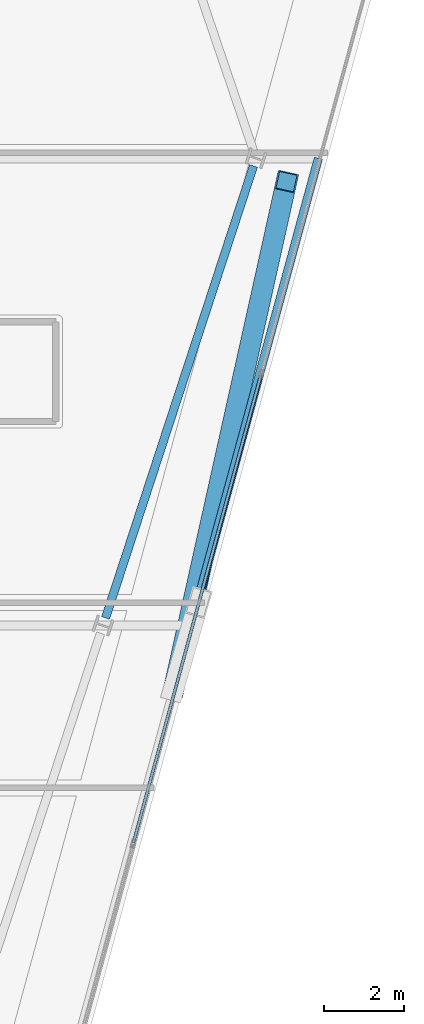
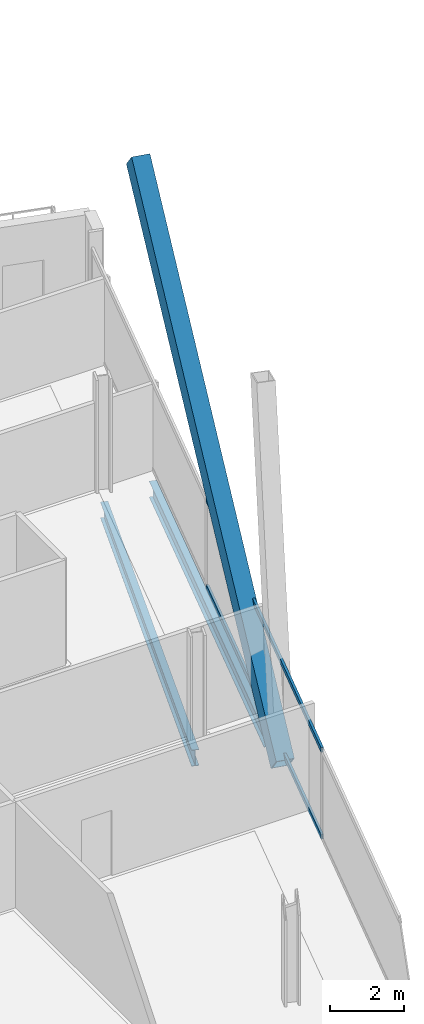
# One storey, part 10 of 26: 3 members, 2 beams, 1 element without a shape of its own.
"""IFC4 building model written with IfcOpenShell, lengths in metres."""

from ifc_helpers import new_model, si_unit, direction, frame, origin, origin_2d, place, context, subcontext, project, spatial, hollow_rectangle, i_section, extrude, material, material_profile, profile_set, type_object, element, aggregate, save


model = new_model("IFC4")

# Units and contexts
model_context = context("Model", 3, precision=1e-05, world=origin(), true_north=direction((0.0, 1.0)))
body_context = subcontext(model_context, "Body", "Model", "MODEL_VIEW")
ifc_project = project(units=[si_unit("LENGTHUNIT", "METRE"), si_unit("AREAUNIT", "SQUARE_METRE"), si_unit("VOLUMEUNIT", "CUBIC_METRE"), si_unit("PLANEANGLEUNIT", "RADIAN"), si_unit("MASSUNIT", "GRAM", prefix="KILO")], contexts=[model_context])

# Site, building, storey
site_placement = place(None, origin())
site = spatial("IfcSite", under=ifc_project, at=site_placement, CompositionType="ELEMENT")
building_placement = place(site_placement, origin())
building = spatial("IfcBuilding", under=site, at=building_placement, Name="Haldenkirk Collegiate Tower", CompositionType="ELEMENT")
storey_placement = place(building_placement, frame((0.0, 0.0, 278.699951171875)))
storey = spatial("IfcBuildingStorey", under=building, at=storey_placement, Name="L70", CompositionType="ELEMENT", Elevation=278.699951171875)

# Beams
ifc_material_1 = material(Name="Steel ASTM A992 Grade 50", Category="steel")
ifc_material_profile_1 = material_profile(ifc_material_1, i_section(OverallWidth=0.2099609375, OverallDepth=0.537109375, WebThickness=0.010986328125, FlangeThickness=0.017333984375, at=origin_2d()), Name="W21X68")
ifc_profile_set_1 = profile_set([ifc_material_profile_1], Name="Steel ASTM A992 Grade 50")
beam_type = type_object("IfcBeamType", Name="BM-SPANDREL-W21X68", PredefinedType="SPANDREL", material=ifc_profile_set_1)
beam_1_placement = place(storey_placement, frame((55.54638671875, 19.81689453125, -0.538330078125), z_axis=(0.311010188249, 0.950406577631, 0.0), x_axis=(-0.950406577631, 0.311010188249, 0.0)))
element("IfcBeam", 1, at=beam_1_placement, inside=storey, type_object=beam_type, Name="L70 perimeter spandrel beam 03", PredefinedType="SPANDREL", context=body_context, shape_type="SweptSolid", body=[
    extrude(i_section(OverallWidth=0.2099609375, OverallDepth=0.537109375, WebThickness=0.010986328125, FlangeThickness=0.017333984375, at=origin_2d()), origin(), (0.0, 0.0, 1.0), 11.94287109375),
])
beam_2_placement = place(storey_placement, frame((57.69189453125, 19.624267578125, -0.538330078125), z_axis=(0.263023999505, 0.964789290822, 0.0), x_axis=(-0.964789290822, 0.263023999505, 0.0)))
element("IfcBeam", 2, at=beam_2_placement, inside=storey, type_object=beam_type, Name="L70 outer facade edge beam 1B", PredefinedType="SPANDREL", context=body_context, shape_type="SweptSolid", body=[
    extrude(i_section(OverallWidth=0.2099609375, OverallDepth=0.537109375, WebThickness=0.010986328125, FlangeThickness=0.017333984375, at=origin_2d()), origin(), (0.0, 0.0, 1.0), 12.1640625),
])

# Curtain wall, members
ifc_material_2 = material(Name="Anodised architectural bronze aluminium", Category="aluminium")
curtain_wall_type = type_object("IfcCurtainWallType", Name="CW-SYS2-CONCAVE", PredefinedType="USERDEFINED", material=ifc_material_2)
curtain_wall_placement = place(storey_placement, origin())
curtain_wall = element("IfcCurtainWall", 3, at=curtain_wall_placement, inside=storey, type_object=curtain_wall_type, Name="L70 South concave recessed bronze-anodised curtain wall", ObjectType="UNITISED CURTAIN WALL", PredefinedType="USERDEFINED")
ifc_material_profile_2 = material_profile(ifc_material_2, hollow_rectangle(XDim=0.074951171875, YDim=0.159912109375, WallThickness=0.0048828125, at=origin_2d()), Name="CW-TRN-02")
ifc_profile_set_2 = profile_set([ifc_material_profile_2], Name="Anodised architectural bronze aluminium")
member_type_1 = type_object("IfcMemberType", Name="CW-TRN-02", PredefinedType="USERDEFINED", material=ifc_profile_set_2)
member_1_placement = place(storey_placement, frame((59.446533203125, 25.90869140625, 0.03759765625), z_axis=(-0.263029052308, -0.964787913296, 0.0), x_axis=(0.964787913296, -0.263029052308, 0.0)))
member_1 = element("IfcMember", 4, at=member_1_placement, type_object=member_type_1, Name="CW-02 transom 2.1", ObjectType="TRANSOM", PredefinedType="USERDEFINED", context=body_context, shape_type="SweptSolid", body=[
    extrude(hollow_rectangle(XDim=0.074951171875, YDim=0.159912109375, WallThickness=0.0048828125, at=origin_2d()), origin(), (0.0, 0.0, 1.0), 12.158447265625),
])
member_2_placement = place(storey_placement, frame((59.446533203125, 25.90869140625, 2.900634765625), z_axis=(-0.263029052308, -0.964787913296, 0.0), x_axis=(0.964787913296, -0.263029052308, 0.0)))
member_2 = element("IfcMember", 5, at=member_2_placement, type_object=member_type_1, Name="CW-02 transom 2.2", ObjectType="TRANSOM", PredefinedType="USERDEFINED", context=body_context, shape_type="SweptSolid", body=[
    extrude(hollow_rectangle(XDim=0.074951171875, YDim=0.159912109375, WallThickness=0.0048828125, at=origin_2d()), origin(), (0.0, 0.0, 1.0), 12.158447265625),
])
aggregate(curtain_wall, [member_1, member_2])

# Member
ifc_material_3 = material(Name="Steel ASTM A572 Grade 50", Category="steel")
ifc_material_profile_3 = material_profile(ifc_material_3, hollow_rectangle(XDim=0.52001953125, YDim=0.719970703125, WallThickness=0.035888671875, at=origin_2d()), Name="BOX720X520X36")
ifc_profile_set_3 = profile_set([ifc_material_profile_3], Name="Steel ASTM A572 Grade 50")
member_type_2 = type_object("IfcMemberType", Name="MBR-MEGABRACE-BOX720X520X36", PredefinedType="BRACE", material=ifc_profile_set_3)
member_3_placement = place(storey_placement, frame((57.27392578125, 18.091796875, -0.280029296875), z_axis=(0.163880349685, 0.737937515648, 0.654668965192), x_axis=(-0.976216680406, 0.216797123823, 0.0)))
element("IfcMember", 6, at=member_3_placement, inside=storey, type_object=member_type_2, Name="Perimeter Mega Brace Z5 L70-L72 SR", PredefinedType="BRACE", context=body_context, shape_type="SweptSolid", body=[
    extrude(hollow_rectangle(XDim=0.52001953125, YDim=0.719970703125, WallThickness=0.035888671875, at=origin_2d()), origin(), (0.0, 0.0, 1.0), 17.184326171875),
])

save(model, "model.ifc")
